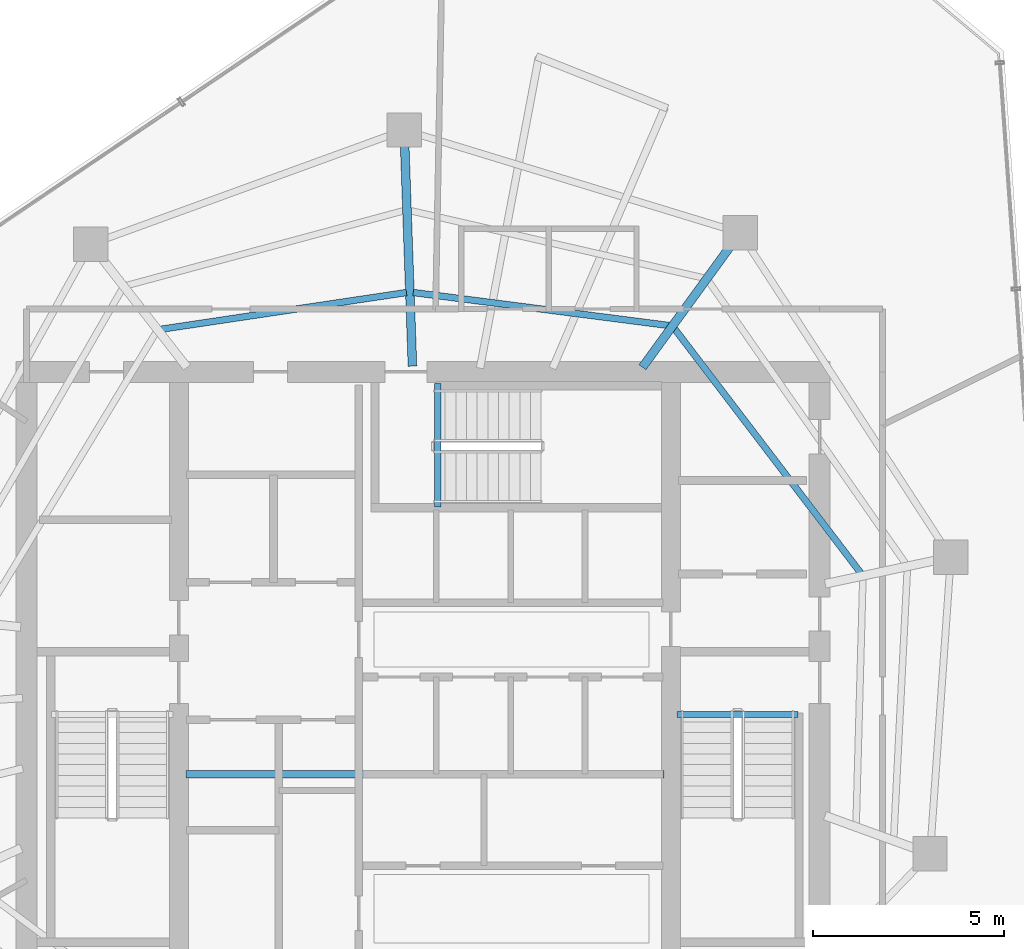
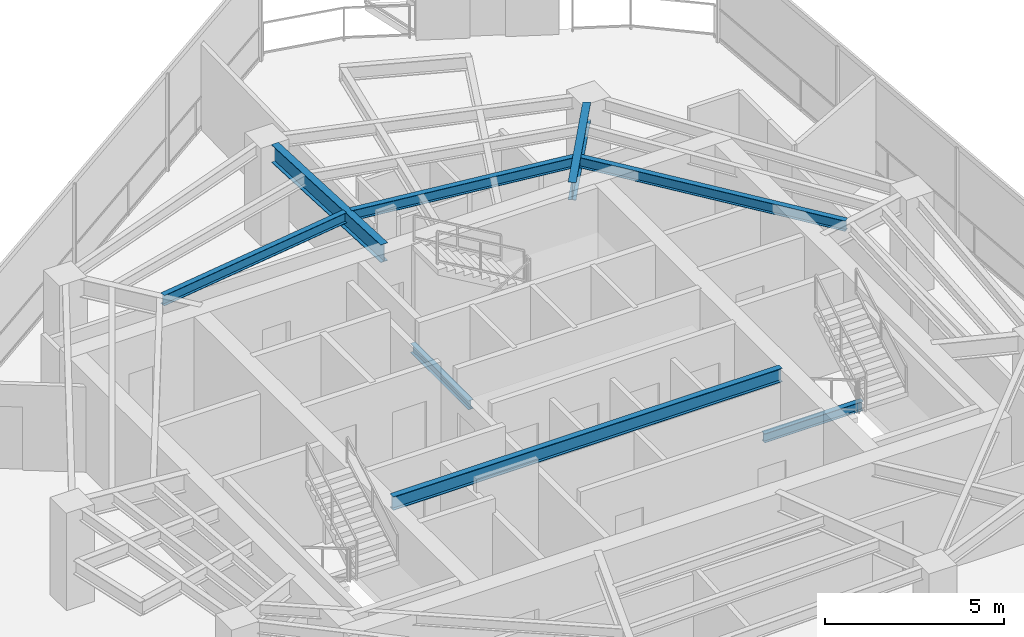
# One storey, part 8 of 20: 8 beams.
"""IFC4 building model written with IfcOpenShell, lengths in metres."""

from ifc_helpers import new_model, si_unit, direction, frame, origin, origin_2d, place, context, subcontext, project, spatial, i_section, extrude, material, material_profile, profile_set, type_object, element, save


model = new_model("IFC4")

# Units and contexts
model_context = context("Model", 3, precision=1e-05, world=origin(), true_north=direction((0.0, 1.0)))
body_context = subcontext(model_context, "Body", "Model", "MODEL_VIEW")
ifc_project = project(units=[si_unit("LENGTHUNIT", "METRE"), si_unit("AREAUNIT", "SQUARE_METRE"), si_unit("VOLUMEUNIT", "CUBIC_METRE"), si_unit("PLANEANGLEUNIT", "RADIAN"), si_unit("MASSUNIT", "GRAM", prefix="KILO")], contexts=[model_context])

# Site, building, storey
site_placement = place(None, origin())
site = spatial("IfcSite", under=ifc_project, at=site_placement, CompositionType="ELEMENT")
building_placement = place(site_placement, origin())
building = spatial("IfcBuilding", under=site, at=building_placement, Name="Qarnah Convention Tower", CompositionType="ELEMENT")
storey_placement = place(building_placement, frame((0.0, 0.0, 195.0)))
storey = spatial("IfcBuildingStorey", under=building, at=storey_placement, Name="L52", CompositionType="ELEMENT", Elevation=195.0)

# Beams
ifc_material = material(Name="Structural steel S355JR", Category="steel")
ifc_material_profile_1 = material_profile(ifc_material, i_section(OverallWidth=0.19189453125, OverallDepth=0.464111328125, WebThickness=0.010986328125, FlangeThickness=0.01806640625, at=origin_2d()), Name="W460X89")
ifc_profile_set_1 = profile_set([ifc_material_profile_1], Name="Structural steel S355JR")
beam_type_1 = type_object("IfcBeamType", Name="BM-CANT-W460A", PredefinedType="BEAM", material=ifc_profile_set_1)
beam_1_placement = place(storey_placement, frame((30.97998046875, 23.64990234375, 3.087890625), z_axis=(1.0, 0.0, 0.0), x_axis=(0.0, 1.0, 0.0)))
element("IfcBeam", 1, at=beam_1_placement, inside=storey, type_object=beam_type_1, Name="L52 beam BM-L52-KC1", PredefinedType="BEAM", context=body_context, shape_type="SweptSolid", body=[
    extrude(i_section(OverallWidth=0.19189453125, OverallDepth=0.464111328125, WebThickness=0.010986328125, FlangeThickness=0.01806640625, at=origin_2d()), origin(), (0.0, 0.0, 1.0), 12.5400390625),
])
ifc_material_profile_2 = material_profile(ifc_material, i_section(OverallWidth=0.166015625, OverallDepth=0.31201171875, WebThickness=0.007080078125, FlangeThickness=0.010986328125, at=origin_2d()), Name="W310X45")
ifc_profile_set_2 = profile_set([ifc_material_profile_2], Name="Structural steel S355JR")
beam_type_2 = type_object("IfcBeamType", Name="BM-JST-W310", PredefinedType="JOIST", material=ifc_profile_set_2)
beam_2_placement = place(storey_placement, frame((43.860107421875, 25.217041015625, -0.156005859375), z_axis=(1.0, 0.0, 0.0), x_axis=(0.0, 1.0, 0.0)))
element("IfcBeam", 2, at=beam_2_placement, inside=storey, type_object=beam_type_2, Name="L52 stair landing trimmer beam BM-L52-ST2-TRM", PredefinedType="BEAM", context=body_context, shape_type="SweptSolid", body=[
    extrude(i_section(OverallWidth=0.166015625, OverallDepth=0.31201171875, WebThickness=0.007080078125, FlangeThickness=0.010986328125, at=origin_2d()), origin(), (0.0, 0.0, 1.0), 3.179931640625),
])
beam_3_placement = place(storey_placement, frame((37.5830078125, 30.659912109375, -0.156005859375), z_axis=(0.0, 1.0, 0.0), x_axis=(-1.0, 0.0, 0.0)))
element("IfcBeam", 3, at=beam_3_placement, inside=storey, type_object=beam_type_2, Name="L52 stair landing trimmer beam BM-L52-ST3-TRM", PredefinedType="BEAM", context=body_context, shape_type="SweptSolid", body=[
    extrude(i_section(OverallWidth=0.166015625, OverallDepth=0.31201171875, WebThickness=0.007080078125, FlangeThickness=0.010986328125, at=origin_2d()), origin(), (0.0, 0.0, 1.0), 3.239990234375),
])
ifc_material_profile_3 = material_profile(ifc_material, i_section(OverallWidth=0.172119140625, OverallDepth=0.35595703125, WebThickness=0.007080078125, FlangeThickness=0.011962890625, at=origin_2d()), Name="W360X51")
ifc_profile_set_3 = profile_set([ifc_material_profile_3], Name="Structural steel S355JR")
beam_type_3 = type_object("IfcBeamType", Name="BM-JST-W360", PredefinedType="JOIST", material=ifc_profile_set_3)
beam_4_placement = place(storey_placement, frame((48.680908203125, 28.924072265625, 3.14208984375), z_axis=(-0.606259548409, 0.795266848273, 0.0), x_axis=(-0.795266848273, -0.606259548409, 0.0)))
element("IfcBeam", 4, at=beam_4_placement, inside=storey, type_object=beam_type_3, Name="L52 joist BM-L52-IJST-01", PredefinedType="JOIST", context=body_context, shape_type="SweptSolid", body=[
    extrude(i_section(OverallWidth=0.172119140625, OverallDepth=0.35595703125, WebThickness=0.007080078125, FlangeThickness=0.011962890625, at=origin_2d()), origin(), (0.0, 0.0, 1.0), 8.0576171875),
])
beam_5_placement = place(storey_placement, frame((43.652099609375, 35.416015625, 3.14208984375), z_axis=(-0.991788356049, 0.127890018397, 0.0), x_axis=(-0.127890018397, -0.991788356049, 0.0)))
element("IfcBeam", 5, at=beam_5_placement, inside=storey, type_object=beam_type_3, Name="L52 joist BM-L52-IJST-02", PredefinedType="JOIST", context=body_context, shape_type="SweptSolid", body=[
    extrude(i_section(OverallWidth=0.172119140625, OverallDepth=0.35595703125, WebThickness=0.007080078125, FlangeThickness=0.011962890625, at=origin_2d()), origin(), (0.0, 0.0, 1.0), 6.763427734375),
])
beam_6_placement = place(storey_placement, frame((36.76611328125, 36.280029296875, 3.14208984375), z_axis=(-0.989011636558, -0.14783769057, 0.0), x_axis=(0.14783769057, -0.989011636558, 0.0)))
element("IfcBeam", 6, at=beam_6_placement, inside=storey, type_object=beam_type_3, Name="L52 joist BM-L52-IJST-03", PredefinedType="JOIST", context=body_context, shape_type="SweptSolid", body=[
    extrude(i_section(OverallWidth=0.172119140625, OverallDepth=0.35595703125, WebThickness=0.007080078125, FlangeThickness=0.011962890625, at=origin_2d()), origin(), (0.0, 0.0, 1.0), 6.506591796875),
])
ifc_material_profile_4 = material_profile(ifc_material, i_section(OverallWidth=0.22802734375, OverallDepth=0.60791015625, WebThickness=0.010986328125, FlangeThickness=0.01708984375, at=origin_2d()), Name="W610X113")
ifc_profile_set_4 = profile_set([ifc_material_profile_4], Name="Structural steel S355JR")
beam_type_4 = type_object("IfcBeamType", Name="BM-RAD-W610B", PredefinedType="BEAM", material=ifc_profile_set_4)
beam_7_placement = place(storey_placement, frame((42.955078125, 34.321044921875, 3.01611328125), z_axis=(0.587650613849, 0.809114797815, 0.0), x_axis=(-0.809114797815, 0.587650613849, 0.0)))
element("IfcBeam", 7, at=beam_7_placement, inside=storey, type_object=beam_type_4, Name="L52 beam BM-L52-RAD-02", PredefinedType="BEAM", context=body_context, shape_type="SweptSolid", body=[
    extrude(i_section(OverallWidth=0.22802734375, OverallDepth=0.60791015625, WebThickness=0.010986328125, FlangeThickness=0.01708984375, at=origin_2d()), origin(), (0.0, 0.0, 1.0), 3.928955078125),
])
beam_8_placement = place(storey_placement, frame((36.923095703125, 34.35009765625, 3.01611328125), z_axis=(-0.035067624348, 0.999384941713, 0.0), x_axis=(-0.999384941713, -0.035067624348, 0.0)))
element("IfcBeam", 8, at=beam_8_placement, inside=storey, type_object=beam_type_4, Name="L52 beam BM-L52-RAD-03", PredefinedType="BEAM", context=body_context, shape_type="SweptSolid", body=[
    extrude(i_section(OverallWidth=0.22802734375, OverallDepth=0.60791015625, WebThickness=0.010986328125, FlangeThickness=0.01708984375, at=origin_2d()), origin(), (0.0, 0.0, 1.0), 5.7646484375),
])

save(model, "model.ifc")
